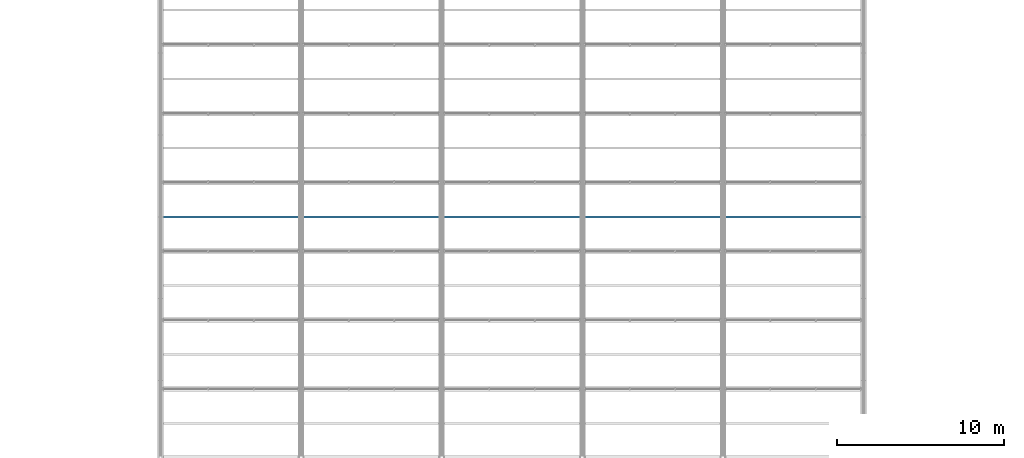
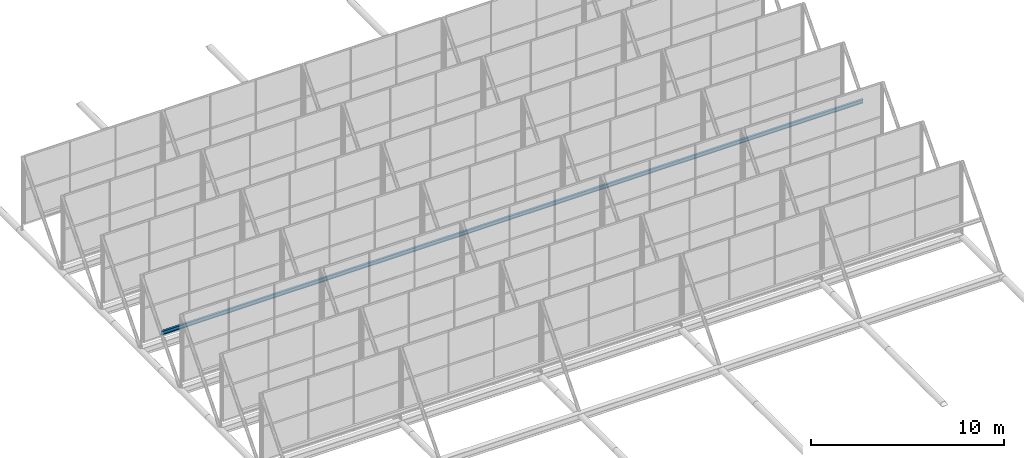
# One storey, part 23 of 77: 1 beam.
"""IFC4 building model written with IfcOpenShell, lengths in metres."""

from ifc_helpers import new_model, si_unit, derived_unit, direction, frame, origin, origin_2d, place, context, subcontext, project, spatial, i_section, extrude, material, material_profile, profile_set, type_object, element, save


model = new_model("IFC4")

# Units and contexts
model_context = context("Model", 3, precision=1e-05, world=origin(), true_north=direction((0.0, 1.0)))
body_context = subcontext(model_context, "Body", "Model", "MODEL_VIEW")
ifc_project = project(units=[si_unit("LENGTHUNIT", "METRE"), si_unit("AREAUNIT", "SQUARE_METRE"), si_unit("VOLUMEUNIT", "CUBIC_METRE"), si_unit("PLANEANGLEUNIT", "RADIAN"), si_unit("MASSUNIT", "GRAM", prefix="KILO"), derived_unit("THERMALTRANSMITTANCEUNIT", [(si_unit("MASSUNIT", "GRAM", prefix="KILO"), 1), (si_unit("TIMEUNIT", "SECOND"), -3), (si_unit("THERMODYNAMICTEMPERATUREUNIT", "KELVIN"), -1)])], contexts=[model_context])

# Site, building, storey
site_placement = place(None, origin())
site = spatial("IfcSite", under=ifc_project, at=site_placement, CompositionType="ELEMENT")
building_placement = place(site_placement, origin())
building = spatial("IfcBuilding", under=site, at=building_placement, Name="Kharveza Railside Sports Centre", CompositionType="ELEMENT")
storey_placement = place(building_placement, frame((0.0, 0.0, 17.10009765625)))
storey = spatial("IfcBuildingStorey", under=building, at=storey_placement, Name="L04", CompositionType="ELEMENT", Elevation=17.10009765625)

# Beam
ifc_material = material(Name="Steel S275JR", Category="steel")
ifc_material_profile = material_profile(ifc_material, i_section(OverallWidth=0.1201171875, OverallDepth=0.239990234375, WebThickness=0.006103515625, FlangeThickness=0.009765625, FilletRadius=0.014892578125, at=origin_2d()), Name="IPE 240")
ifc_profile_set = profile_set([ifc_material_profile], Name="Steel S275JR")
beam_type = type_object("IfcBeamType", Name="BM-J01", PredefinedType="JOIST", material=ifc_profile_set)
beam_placement = place(storey_placement, frame((33.60009765625, 50.39990234375, 1.31982421875), z_axis=(1.0, 0.0, 0.0), x_axis=(0.0, 1.0, 0.0)))
element("IfcBeam", 1, at=beam_placement, inside=storey, type_object=beam_type, Name="BM-V1SAW-PUR-4", PredefinedType="JOIST", context=body_context, shape_type="SweptSolid", body=[
    extrude(i_section(OverallWidth=0.1201171875, OverallDepth=0.239990234375, WebThickness=0.006103515625, FlangeThickness=0.009765625, FilletRadius=0.014892578125, at=origin_2d()), origin(), (0.0, 0.0, 1.0), 42.0),
])

save(model, "model.ifc")
